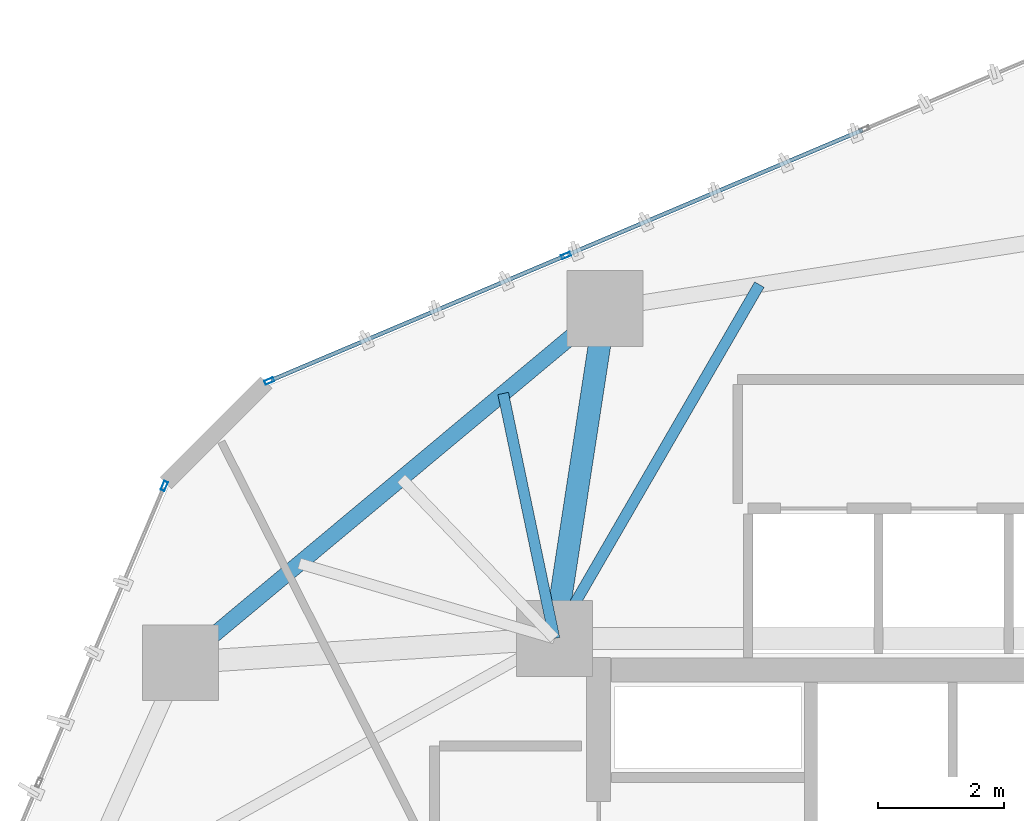
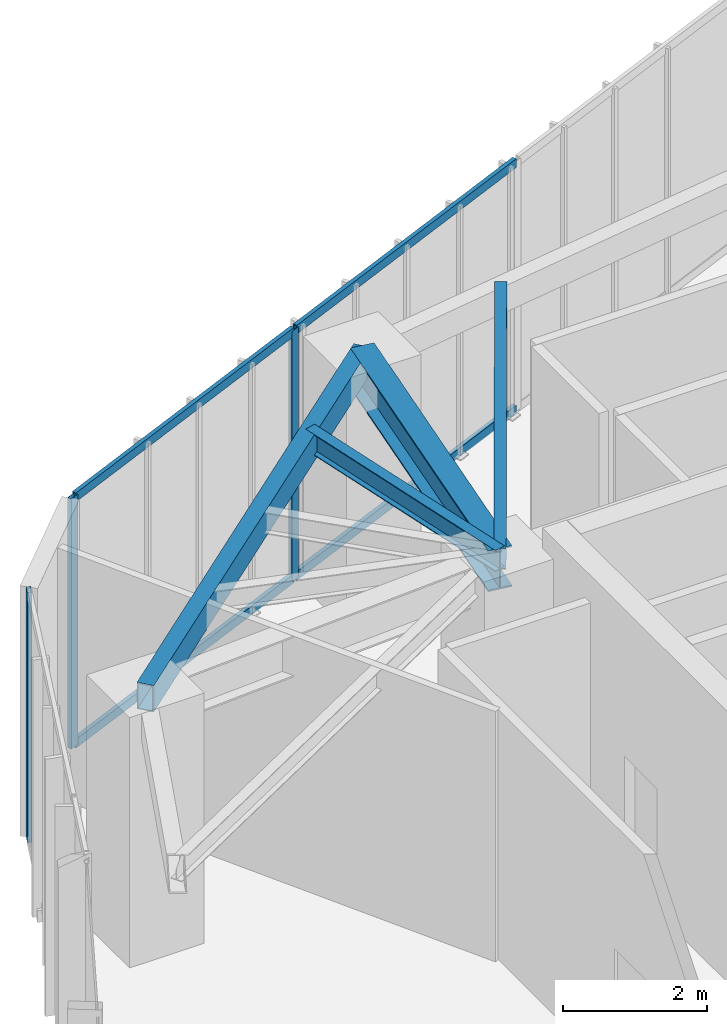
# One storey, part 17 of 28: 7 members, 4 beams, 2 elements without a shape of their own.
"""IFC4 building model written with IfcOpenShell, lengths in metres."""

from ifc_helpers import new_model, si_unit, direction, frame, origin, origin_2d, place, context, subcontext, project, spatial, hollow_rectangle, i_section, extrude, source, transform, mapped, material, layer, layer_set, material_profile, profile_set, type_object, type_shapes, element, aggregate, save


model = new_model("IFC4")

# Units and contexts
model_context = context("Model", 3, precision=1e-05, world=origin(), true_north=direction((0.0, 1.0)))
body_context = subcontext(model_context, "Body", "Model", "MODEL_VIEW")
ifc_project = project(units=[si_unit("LENGTHUNIT", "METRE"), si_unit("AREAUNIT", "SQUARE_METRE"), si_unit("VOLUMEUNIT", "CUBIC_METRE"), si_unit("PLANEANGLEUNIT", "RADIAN"), si_unit("MASSUNIT", "GRAM", prefix="KILO")], contexts=[model_context])

# Site, building, storey
site_placement = place(None, origin())
site = spatial("IfcSite", under=ifc_project, at=site_placement, CompositionType="ELEMENT")
building_placement = place(site_placement, origin())
building = spatial("IfcBuilding", under=site, at=building_placement, Name="Talar Marvaseh", CompositionType="ELEMENT")
storey_placement = place(building_placement, frame((0.0, 0.0, 157.800048828125)))
storey = spatial("IfcBuildingStorey", under=building, at=storey_placement, Name="L41", CompositionType="ELEMENT", Elevation=157.800048828125)

# Beams
ifc_material_1 = material(Name="Steel S355", Category="steel")
ifc_material_profile_1 = material_profile(ifc_material_1, hollow_rectangle(XDim=0.25, YDim=0.449951171875, WallThickness=0.01611328125, at=origin_2d()), Name="RHS450x250x16")
ifc_profile_set_1 = profile_set([ifc_material_profile_1], Name="Steel S355")
beam_type_1 = type_object("IfcBeamType", Name="Zone 2 Perimeter Spandrel Beam RHS450x250x16", PredefinedType="SPANDREL", material=ifc_profile_set_1)
beam_1_placement = place(storey_placement, frame((12.780029296875, 36.51708984375, 4.02490234375), z_axis=(0.76793081465, 0.640532796905, 0.0), x_axis=(-0.640532796905, 0.76793081465, 0.0)))
element("IfcBeam", 1, at=beam_1_placement, inside=storey, type_object=beam_type_1, Name="L41 Zone 2 Perimeter Spandrel Beam RHS450x250x16", PredefinedType="SPANDREL", context=body_context, shape_type="SweptSolid", body=[
    extrude(hollow_rectangle(XDim=0.25, YDim=0.449951171875, WallThickness=0.01611328125, at=origin_2d()), origin(), (0.0, 0.0, 1.0), 8.751953125),
])
ifc_material_profile_2 = material_profile(ifc_material_1, i_section(OverallWidth=0.35498046875, OverallDepth=0.695068359375, WebThickness=0.015380859375, FlangeThickness=0.02490234375, at=origin_2d()), Name="W690x217")
ifc_profile_set_2 = profile_set([ifc_material_profile_2], Name="Steel S355")
beam_type_2 = type_object("IfcBeamType", Name="Zone 2 Radial Floor Girder W690x217", PredefinedType="BEAM", material=ifc_profile_set_2)
beam_2_placement = place(storey_placement, frame((19.5009765625, 42.123046875, 3.90234375), z_axis=(-0.151588471466, -0.98844369355, 0.0), x_axis=(0.98844369355, -0.151588471466, 0.0)))
element("IfcBeam", 2, at=beam_2_placement, inside=storey, type_object=beam_type_2, Name="L41 Zone 2 Radial Floor Girder W690x217", PredefinedType="BEAM", context=body_context, shape_type="SweptSolid", body=[
    extrude(i_section(OverallWidth=0.35498046875, OverallDepth=0.695068359375, WebThickness=0.015380859375, FlangeThickness=0.02490234375, at=origin_2d()), origin(), (0.0, 0.0, 1.0), 5.2841796875),
])
ifc_material_profile_3 = material_profile(ifc_material_1, i_section(OverallWidth=0.172119140625, OverallDepth=0.35791015625, WebThickness=0.0078125, FlangeThickness=0.01318359375, at=origin_2d()), Name="W360x57")
ifc_profile_set_3 = profile_set([ifc_material_profile_3], Name="Steel S355")
beam_type_3 = type_object("IfcBeamType", Name="Zone 2 Secondary Floor Joist W360x57", PredefinedType="JOIST", material=ifc_profile_set_3)
beam_3_placement = place(storey_placement, frame((17.887939453125, 40.777587890625, 4.071044921875), z_axis=(0.204960633597, -0.978770217505, 0.0), x_axis=(0.978770217505, 0.204960633597, 0.0)))
element("IfcBeam", 3, at=beam_3_placement, inside=storey, type_object=beam_type_3, Name="L41 Zone 2 Secondary Floor Joist W360x57", PredefinedType="JOIST", context=body_context, shape_type="SweptSolid", body=[
    extrude(i_section(OverallWidth=0.172119140625, OverallDepth=0.35791015625, WebThickness=0.0078125, FlangeThickness=0.01318359375, at=origin_2d()), origin(), (0.0, 0.0, 1.0), 3.9619140625),
])
beam_4_placement = place(storey_placement, frame((21.94287109375, 42.500732421875, 4.071044921875), z_axis=(-0.501074932228, -0.865403901246, 0.0), x_axis=(0.865403901246, -0.501074932228, 0.0)))
element("IfcBeam", 4, at=beam_4_placement, inside=storey, type_object=beam_type_3, Name="L41 Zone 2 Secondary Floor Joist W360x57", PredefinedType="JOIST", context=body_context, shape_type="SweptSolid", body=[
    extrude(i_section(OverallWidth=0.172119140625, OverallDepth=0.35791015625, WebThickness=0.0078125, FlangeThickness=0.01318359375, at=origin_2d()), origin(), (0.0, 0.0, 1.0), 6.471923828125),
])

# Curtain wall, member
ifc_material_2 = material(Name="Architectural Aluminium", Category="aluminium")
ifc_layer = layer(ifc_material_2, 0.239990234375)
ifc_layer_set = layer_set([ifc_layer], Name="Architectural Aluminium")
curtain_wall_type = type_object("IfcCurtainWallType", Name="Observation Sky Gallery Structural Glass Wall", PredefinedType="NOTDEFINED", material=ifc_layer_set)
curtain_wall_1_placement = place(storey_placement, origin())
curtain_wall_1 = element("IfcCurtainWall", 5, at=curtain_wall_1_placement, inside=storey, type_object=curtain_wall_type, Name="L41 Observation Sky Gallery Structural Glass Wall", PredefinedType="NOTDEFINED")
ifc_material_profile_4 = material_profile(ifc_material_2, hollow_rectangle(XDim=0.06494140625, YDim=0.14990234375, WallThickness=0.00390625, at=origin_2d()), Name="RHS150x65x4")
ifc_profile_set_4 = profile_set([ifc_material_profile_4], Name="Architectural Aluminium")
member_type_1 = type_object("IfcMemberType", Name="Unitised Curtain Wall Slim Mullion RHS150x65x4", PredefinedType="MULLION", material=ifc_profile_set_4)
shared_shape_1 = source(origin(), body_context, "Body", "SweptSolid", [
    extrude(hollow_rectangle(XDim=0.06494140625, YDim=0.14990234375, WallThickness=0.00390625, at=origin_2d()), origin(), (0.0, 0.0, 1.0), 4.25),
])
type_shapes(member_type_1, [shared_shape_1])
member_1_placement = place(storey_placement, frame((12.525390625, 39.3125, 0.0), z_axis=(0.0, 0.0, 1.0), x_axis=(-0.920967430429, 0.389639566894, 0.0)))
member_1 = element("IfcMember", 6, at=member_1_placement, type_object=member_type_1, Name="CW-OBS mullion 4", PredefinedType="MULLION", context=body_context, shape_type="MappedRepresentation", body=[
    mapped(shared_shape_1, transform((0.0, 0.0, 0.0), x_axis=(1.0, 0.0, 0.0), y_axis=(0.0, 1.0, 0.0), z_axis=(0.0, 0.0, 1.0), scale=1.0)),
])
aggregate(curtain_wall_1, [member_1])

# Curtain wall, members
curtain_wall_2_placement = place(storey_placement, origin())
curtain_wall_2 = element("IfcCurtainWall", 7, at=curtain_wall_2_placement, inside=storey, type_object=curtain_wall_type, Name="L41 Observation Sky Gallery Structural Glass Wall", PredefinedType="NOTDEFINED")
member_2_placement = place(storey_placement, frame((14.1875, 40.974609375, 0.0), z_axis=(0.0, 0.0, 1.0), x_axis=(-0.389639566894, 0.920967430429, 0.0)))
member_2 = element("IfcMember", 8, at=member_2_placement, type_object=member_type_1, Name="CW-OBS mullion 1", PredefinedType="MULLION", context=body_context, shape_type="MappedRepresentation", body=[
    mapped(shared_shape_1, transform((0.0, 0.0, 0.0), x_axis=(1.0, 0.0, 0.0), y_axis=(0.0, 1.0, 0.0), z_axis=(0.0, 0.0, 1.0), scale=1.0)),
])
member_3_placement = place(storey_placement, frame((18.882080078125, 42.960693359375, 0.0), z_axis=(0.0, 0.0, 1.0), x_axis=(-0.389639566894, 0.920967430429, 0.0)))
member_3 = element("IfcMember", 9, at=member_3_placement, type_object=member_type_1, Name="CW-OBS mullion 2", PredefinedType="MULLION", context=body_context, shape_type="MappedRepresentation", body=[
    mapped(shared_shape_1, transform((0.0, 0.0, 0.0), x_axis=(1.0, 0.0, 0.0), y_axis=(0.0, 1.0, 0.0), z_axis=(0.0, 0.0, 1.0), scale=1.0)),
])
ifc_material_profile_5 = material_profile(ifc_material_2, hollow_rectangle(XDim=0.06494140625, YDim=0.14990234375, WallThickness=0.00390625, at=origin_2d()), Name="RHS150x65x4")
ifc_profile_set_5 = profile_set([ifc_material_profile_5], Name="Architectural Aluminium")
member_type_2 = type_object("IfcMemberType", Name="Unitised Curtain Wall Slim Transom RHS150x65x4", PredefinedType="USERDEFINED", material=ifc_profile_set_5)
shared_shape_2 = source(origin(), body_context, "Body", "SweptSolid", [
    extrude(hollow_rectangle(XDim=0.06494140625, YDim=0.14990234375, WallThickness=0.00390625, at=origin_2d()), origin(), (0.0, 0.0, 1.0), 5.032470703125),
])
member_4_placement = place(storey_placement, frame((14.21728515625, 40.9873046875, 0.032470703125), z_axis=(0.920979302902, 0.389611503456, 0.0), x_axis=(-0.389611503456, 0.920979302902, 0.0)))
member_4 = element("IfcMember", 10, at=member_4_placement, type_object=member_type_2, Name="CW-OBS transom 1.1", ObjectType="TRANSOM", PredefinedType="USERDEFINED", context=body_context, shape_type="MappedRepresentation", body=[
    mapped(shared_shape_2, transform((0.0, 0.0, 0.0), x_axis=(1.0, 0.0, 0.0), y_axis=(0.0, 1.0, 0.0), z_axis=(0.0, 0.0, 1.0), scale=1.0)),
])
member_5_placement = place(storey_placement, frame((14.21728515625, 40.9873046875, 4.217529296875), z_axis=(0.920979302902, 0.389611503456, 0.0), x_axis=(-0.389611503456, 0.920979302902, 0.0)))
member_5 = element("IfcMember", 11, at=member_5_placement, type_object=member_type_2, Name="CW-OBS transom 1.2", ObjectType="TRANSOM", PredefinedType="USERDEFINED", context=body_context, shape_type="MappedRepresentation", body=[
    mapped(shared_shape_2, transform((0.0, 0.0, 0.0), x_axis=(1.0, 0.0, 0.0), y_axis=(0.0, 1.0, 0.0), z_axis=(0.0, 0.0, 1.0), scale=1.0)),
])
shared_shape_3 = source(origin(), body_context, "Body", "SweptSolid", [
    extrude(hollow_rectangle(XDim=0.06494140625, YDim=0.14990234375, WallThickness=0.00390625, at=origin_2d()), origin(), (0.0, 0.0, 1.0), 5.06494140625),
])
type_shapes(member_type_2, [shared_shape_2, shared_shape_3])
member_6_placement = place(storey_placement, frame((18.912109375, 42.973388671875, 0.032470703125), z_axis=(0.92095527563, 0.389668295206, 0.0), x_axis=(-0.389668295206, 0.92095527563, 0.0)))
member_6 = element("IfcMember", 12, at=member_6_placement, type_object=member_type_2, Name="CW-OBS transom 2.1", ObjectType="TRANSOM", PredefinedType="USERDEFINED", context=body_context, shape_type="MappedRepresentation", body=[
    mapped(shared_shape_3, transform((0.0, 0.0, 0.0), x_axis=(1.0, 0.0, 0.0), y_axis=(0.0, 1.0, 0.0), z_axis=(0.0, 0.0, 1.0), scale=1.0)),
])
member_7_placement = place(storey_placement, frame((18.912109375, 42.973388671875, 4.217529296875), z_axis=(0.92095527563, 0.389668295206, 0.0), x_axis=(-0.389668295206, 0.92095527563, 0.0)))
member_7 = element("IfcMember", 13, at=member_7_placement, type_object=member_type_2, Name="CW-OBS transom 2.2", ObjectType="TRANSOM", PredefinedType="USERDEFINED", context=body_context, shape_type="MappedRepresentation", body=[
    mapped(shared_shape_3, transform((0.0, 0.0, 0.0), x_axis=(1.0, 0.0, 0.0), y_axis=(0.0, 1.0, 0.0), z_axis=(0.0, 0.0, 1.0), scale=1.0)),
])
aggregate(curtain_wall_2, [member_2, member_3, member_4, member_5, member_6, member_7])

save(model, "model.ifc")
